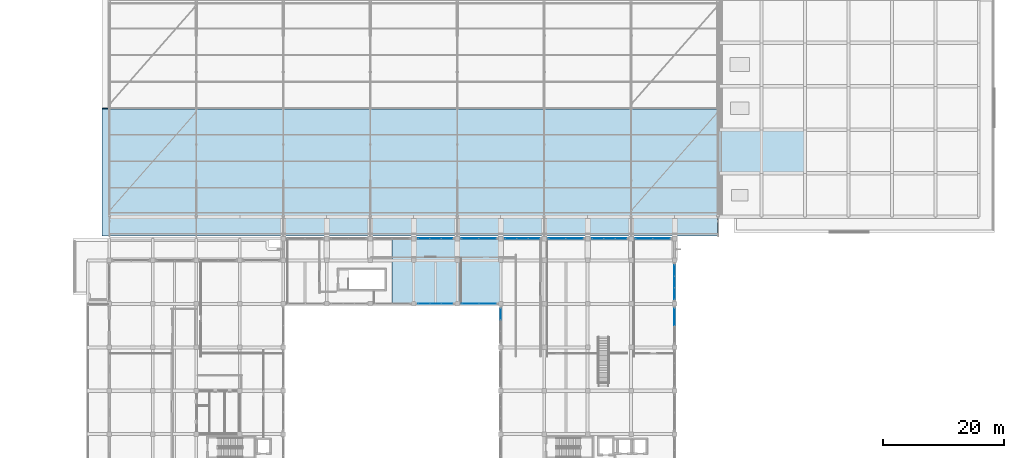
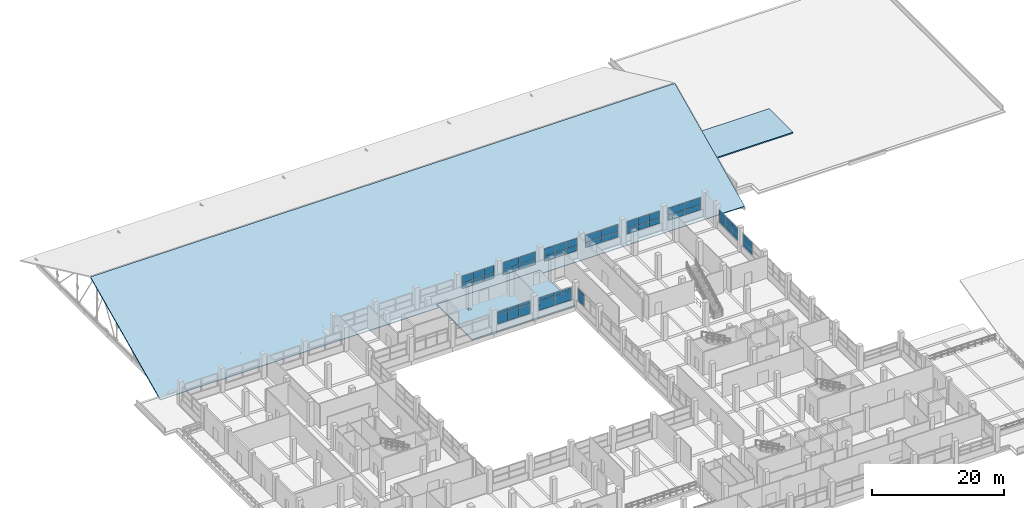
# One storey, part 117 of 141: 50 plates, 3 slabs, 11 elements without a shape of their own.
"""IFC4 building model written with IfcOpenShell, lengths in metres."""

from ifc_helpers import new_model, si_unit, direction, frame, origin, origin_2d, place, context, subcontext, project, spatial, polyline, rectangle, outline, extrude, material, layer, layer_set, type_object, element, aggregate, save


model = new_model("IFC4")

# Units and contexts
model_context = context("Model", 3, precision=1e-05, world=origin(), true_north=direction((0.0, 1.0)))
body_context = subcontext(model_context, "Body", "Model", "MODEL_VIEW")
ifc_project = project(units=[si_unit("LENGTHUNIT", "METRE"), si_unit("AREAUNIT", "SQUARE_METRE"), si_unit("VOLUMEUNIT", "CUBIC_METRE"), si_unit("PLANEANGLEUNIT", "RADIAN"), si_unit("MASSUNIT", "GRAM", prefix="KILO")], contexts=[model_context])

# Site, building, storey
site_placement = place(None, origin())
site = spatial("IfcSite", under=ifc_project, at=site_placement, CompositionType="ELEMENT")
building_placement = place(site_placement, origin())
building = spatial("IfcBuilding", under=site, at=building_placement, Name="Seraya Terrace Polytechnic", CompositionType="ELEMENT")
storey_placement = place(building_placement, frame((0.0, 0.0, 14.39990234375)))
storey = spatial("IfcBuildingStorey", under=building, at=storey_placement, Name="L03", CompositionType="ELEMENT", Elevation=14.39990234375)

# Curtain wall, plates
ifc_material_1 = material(Name="Anodised aluminium EN AW-6063 T6", Category="aluminium")
ifc_layer_1 = layer(ifc_material_1, 0.179931640625, Name="CW-13")
ifc_layer_set_1 = layer_set([ifc_layer_1], Name="Anodised aluminium EN AW-6063 T6")
curtain_wall_type_1 = type_object("IfcCurtainWallType", Name="CW-13", PredefinedType="NOTDEFINED", material=ifc_layer_set_1)
curtain_wall_1_placement = place(storey_placement, origin())
curtain_wall_1 = element("IfcCurtainWall", 1, at=curtain_wall_1_placement, inside=storey, type_object=curtain_wall_type_1, Name="Unitised curtain wall CW-13 (CW-L03-121)", PredefinedType="NOTDEFINED")
ifc_material_2 = material(Name="Laminated solar-control Low-E double glazing", Category="glass")
ifc_layer_2 = layer(ifc_material_2, 0.028076171875, Name="CWP-01")
ifc_layer_set_2 = layer_set([ifc_layer_2], Name="Laminated solar-control Low-E double glazing")
plate_type_1 = type_object("IfcPlateType", Name="CWP-01", PredefinedType="CURTAIN_PANEL", material=ifc_layer_set_2)
plate_1_placement = place(storey_placement, frame((66.496337890625, 75.60009765625, 1.30029296875), z_axis=(0.0, 0.0, 1.0), x_axis=(1.0, 0.0, 0.0)))
plate_1 = element("IfcPlate", 2, at=plate_1_placement, type_object=plate_type_1, Name="CW-13 panel 1.1", PredefinedType="CURTAIN_PANEL", context=body_context, shape_type="SweptSolid", body=[
    extrude(rectangle(XDim=1.822509765625, YDim=0.028076171875, at=origin_2d()), origin(), (0.0, 0.0, 1.0), 0.934814453125),
])
plate_2_placement = place(storey_placement, frame((66.496337890625, 75.60009765625, 2.294921875), z_axis=(0.0, 0.0, 1.0), x_axis=(1.0, 0.0, 0.0)))
plate_2 = element("IfcPlate", 3, at=plate_2_placement, type_object=plate_type_1, Name="CW-13 panel 1.2", PredefinedType="CURTAIN_PANEL", context=body_context, shape_type="SweptSolid", body=[
    extrude(rectangle(XDim=1.822509765625, YDim=0.028076171875, at=origin_2d()), origin(), (0.0, 0.0, 1.0), 1.3251953125),
])
plate_3_placement = place(storey_placement, frame((68.39990234375, 75.60009765625, 1.30029296875), z_axis=(0.0, 0.0, 1.0), x_axis=(1.0, 0.0, 0.0)))
plate_3 = element("IfcPlate", 4, at=plate_3_placement, type_object=plate_type_1, Name="CW-13 panel 2.1", PredefinedType="CURTAIN_PANEL", context=body_context, shape_type="SweptSolid", body=[
    extrude(rectangle(XDim=1.85498046875, YDim=0.028076171875, at=origin_2d()), origin(), (0.0, 0.0, 1.0), 0.934814453125),
])
plate_4_placement = place(storey_placement, frame((68.39990234375, 75.60009765625, 2.294921875), z_axis=(0.0, 0.0, 1.0), x_axis=(1.0, 0.0, 0.0)))
plate_4 = element("IfcPlate", 5, at=plate_4_placement, type_object=plate_type_1, Name="CW-13 panel 2.2", PredefinedType="CURTAIN_PANEL", context=body_context, shape_type="SweptSolid", body=[
    extrude(rectangle(XDim=1.85498046875, YDim=0.028076171875, at=origin_2d()), origin(), (0.0, 0.0, 1.0), 1.3251953125),
])
plate_5_placement = place(storey_placement, frame((70.3037109375, 75.60009765625, 1.30029296875), z_axis=(0.0, 0.0, 1.0), x_axis=(1.0, 0.0, 0.0)))
plate_5 = element("IfcPlate", 6, at=plate_5_placement, type_object=plate_type_1, Name="CW-13 panel 3.1", PredefinedType="CURTAIN_PANEL", context=body_context, shape_type="SweptSolid", body=[
    extrude(rectangle(XDim=1.822509765625, YDim=0.028076171875, at=origin_2d()), origin(), (0.0, 0.0, 1.0), 0.934814453125),
])
plate_6_placement = place(storey_placement, frame((70.3037109375, 75.60009765625, 2.294921875), z_axis=(0.0, 0.0, 1.0), x_axis=(1.0, 0.0, 0.0)))
plate_6 = element("IfcPlate", 7, at=plate_6_placement, type_object=plate_type_1, Name="CW-13 panel 3.2", PredefinedType="CURTAIN_PANEL", context=body_context, shape_type="SweptSolid", body=[
    extrude(rectangle(XDim=1.822509765625, YDim=0.028076171875, at=origin_2d()), origin(), (0.0, 0.0, 1.0), 1.3251953125),
])
aggregate(curtain_wall_1, [plate_1, plate_2, plate_3, plate_4, plate_5, plate_6])

ifc_layer_3 = layer(ifc_material_1, 0.179931640625, Name="CW-16")
ifc_layer_set_3 = layer_set([ifc_layer_3], Name="Anodised aluminium EN AW-6063 T6")
curtain_wall_type_2 = type_object("IfcCurtainWallType", Name="CW-16", PredefinedType="NOTDEFINED", material=ifc_layer_set_3)
curtain_wall_2_placement = place(storey_placement, origin())
curtain_wall_2 = element("IfcCurtainWall", 8, at=curtain_wall_2_placement, inside=storey, type_object=curtain_wall_type_2, Name="Unitised curtain wall CW-16 (CW-L03-124)", PredefinedType="NOTDEFINED")
plate_7_placement = place(storey_placement, frame((88.576171875, 75.60009765625, 1.30029296875), z_axis=(0.0, 0.0, 1.0), x_axis=(1.0, 0.0, 0.0)))
plate_7 = element("IfcPlate", 9, at=plate_7_placement, type_object=plate_type_1, Name="CW-16 panel 1.1", PredefinedType="CURTAIN_PANEL", context=body_context, shape_type="SweptSolid", body=[
    extrude(rectangle(XDim=2.782470703125, YDim=0.028076171875, at=origin_2d()), origin(), (0.0, 0.0, 1.0), 0.934814453125),
])
plate_8_placement = place(storey_placement, frame((88.576171875, 75.60009765625, 2.294921875), z_axis=(0.0, 0.0, 1.0), x_axis=(1.0, 0.0, 0.0)))
plate_8 = element("IfcPlate", 10, at=plate_8_placement, type_object=plate_type_1, Name="CW-16 panel 1.2", PredefinedType="CURTAIN_PANEL", context=body_context, shape_type="SweptSolid", body=[
    extrude(rectangle(XDim=2.782470703125, YDim=0.028076171875, at=origin_2d()), origin(), (0.0, 0.0, 1.0), 1.3251953125),
])
plate_9_placement = place(storey_placement, frame((91.423828125, 75.60009765625, 1.30029296875), z_axis=(0.0, 0.0, 1.0), x_axis=(1.0, 0.0, 0.0)))
plate_9 = element("IfcPlate", 11, at=plate_9_placement, type_object=plate_type_1, Name="CW-16 panel 2.1", PredefinedType="CURTAIN_PANEL", context=body_context, shape_type="SweptSolid", body=[
    extrude(rectangle(XDim=2.782470703125, YDim=0.028076171875, at=origin_2d()), origin(), (0.0, 0.0, 1.0), 0.934814453125),
])
plate_10_placement = place(storey_placement, frame((91.423828125, 75.60009765625, 2.294921875), z_axis=(0.0, 0.0, 1.0), x_axis=(1.0, 0.0, 0.0)))
plate_10 = element("IfcPlate", 12, at=plate_10_placement, type_object=plate_type_1, Name="CW-16 panel 2.2", PredefinedType="CURTAIN_PANEL", context=body_context, shape_type="SweptSolid", body=[
    extrude(rectangle(XDim=2.782470703125, YDim=0.028076171875, at=origin_2d()), origin(), (0.0, 0.0, 1.0), 1.3251953125),
])
aggregate(curtain_wall_2, [plate_7, plate_8, plate_9, plate_10])

ifc_layer_4 = layer(ifc_material_1, 0.179931640625, Name="CW-19")
ifc_layer_set_4 = layer_set([ifc_layer_4], Name="Anodised aluminium EN AW-6063 T6")
curtain_wall_type_3 = type_object("IfcCurtainWallType", Name="CW-19", PredefinedType="NOTDEFINED", material=ifc_layer_set_4)
curtain_wall_3_placement = place(storey_placement, origin())
curtain_wall_3 = element("IfcCurtainWall", 13, at=curtain_wall_3_placement, inside=storey, type_object=curtain_wall_type_3, Name="Unitised curtain wall CW-19 (CW-L03-127)", PredefinedType="NOTDEFINED")
plate_11_placement = place(storey_placement, frame((108.0, 70.3037109375, 1.2998046875), z_axis=(0.0, 0.0, 1.0), x_axis=(0.0, -1.0, 0.0)))
plate_11 = element("IfcPlate", 14, at=plate_11_placement, type_object=plate_type_1, Name="CW-19 panel 1.1", PredefinedType="CURTAIN_PANEL", context=body_context, shape_type="SweptSolid", body=[
    extrude(rectangle(XDim=1.822509765625, YDim=0.028076171875, at=origin_2d()), origin(), (0.0, 0.0, 1.0), 0.947509765625),
])
plate_12_placement = place(storey_placement, frame((108.0, 70.3037109375, 2.3076171875), z_axis=(0.0, 0.0, 1.0), x_axis=(0.0, -1.0, 0.0)))
plate_12 = element("IfcPlate", 15, at=plate_12_placement, type_object=plate_type_1, Name="CW-19 panel 1.2", PredefinedType="CURTAIN_PANEL", context=body_context, shape_type="SweptSolid", body=[
    extrude(rectangle(XDim=1.822509765625, YDim=0.028076171875, at=origin_2d()), origin(), (0.0, 0.0, 1.0), 1.342529296875),
])
plate_13_placement = place(storey_placement, frame((108.0, 68.39990234375, 1.2998046875), z_axis=(0.0, 0.0, 1.0), x_axis=(0.0, -1.0, 0.0)))
plate_13 = element("IfcPlate", 16, at=plate_13_placement, type_object=plate_type_1, Name="CW-19 panel 2.1", PredefinedType="CURTAIN_PANEL", context=body_context, shape_type="SweptSolid", body=[
    extrude(rectangle(XDim=1.85498046875, YDim=0.028076171875, at=origin_2d()), origin(), (0.0, 0.0, 1.0), 0.947509765625),
])
plate_14_placement = place(storey_placement, frame((108.0, 68.39990234375, 2.3076171875), z_axis=(0.0, 0.0, 1.0), x_axis=(0.0, -1.0, 0.0)))
plate_14 = element("IfcPlate", 17, at=plate_14_placement, type_object=plate_type_1, Name="CW-19 panel 2.2", PredefinedType="CURTAIN_PANEL", context=body_context, shape_type="SweptSolid", body=[
    extrude(rectangle(XDim=1.85498046875, YDim=0.028076171875, at=origin_2d()), origin(), (0.0, 0.0, 1.0), 1.342529296875),
])
plate_15_placement = place(storey_placement, frame((108.0, 66.496337890625, 1.2998046875), z_axis=(0.0, 0.0, 1.0), x_axis=(0.0, -1.0, 0.0)))
plate_15 = element("IfcPlate", 18, at=plate_15_placement, type_object=plate_type_1, Name="CW-19 panel 3.1", PredefinedType="CURTAIN_PANEL", context=body_context, shape_type="SweptSolid", body=[
    extrude(rectangle(XDim=1.822509765625, YDim=0.028076171875, at=origin_2d()), origin(), (0.0, 0.0, 1.0), 0.947509765625),
])
plate_16_placement = place(storey_placement, frame((108.0, 66.496337890625, 2.3076171875), z_axis=(0.0, 0.0, 1.0), x_axis=(0.0, -1.0, 0.0)))
plate_16 = element("IfcPlate", 19, at=plate_16_placement, type_object=plate_type_1, Name="CW-19 panel 3.2", PredefinedType="CURTAIN_PANEL", context=body_context, shape_type="SweptSolid", body=[
    extrude(rectangle(XDim=1.822509765625, YDim=0.028076171875, at=origin_2d()), origin(), (0.0, 0.0, 1.0), 1.342529296875),
])
aggregate(curtain_wall_3, [plate_11, plate_12, plate_13, plate_14, plate_15, plate_16])

ifc_layer_5 = layer(ifc_material_1, 0.179931640625, Name="CW-34")
ifc_layer_set_5 = layer_set([ifc_layer_5], Name="Anodised aluminium EN AW-6063 T6")
curtain_wall_type_4 = type_object("IfcCurtainWallType", Name="CW-34", PredefinedType="NOTDEFINED", material=ifc_layer_set_5)
curtain_wall_4_placement = place(storey_placement, origin())
curtain_wall_4 = element("IfcCurtainWall", 20, at=curtain_wall_4_placement, inside=storey, type_object=curtain_wall_type_4, Name="Unitised curtain wall CW-34 (CW-L03-142)", PredefinedType="NOTDEFINED")
plate_17_placement = place(storey_placement, frame((70.3037109375, 64.800048828125, 1.300048828125), z_axis=(0.0, 0.0, 1.0), x_axis=(-1.0, 0.0, 0.0)))
plate_17 = element("IfcPlate", 21, at=plate_17_placement, type_object=plate_type_1, Name="CW-34 panel 1.1", PredefinedType="CURTAIN_PANEL", context=body_context, shape_type="SweptSolid", body=[
    extrude(rectangle(XDim=1.822509765625, YDim=0.028076171875, at=origin_2d()), origin(), (0.0, 0.0, 1.0), 1.72998046875),
])
plate_18_placement = place(storey_placement, frame((70.3037109375, 64.800048828125, 3.08984375), z_axis=(0.0, 0.0, 1.0), x_axis=(-1.0, 0.0, 0.0)))
plate_18 = element("IfcPlate", 22, at=plate_18_placement, type_object=plate_type_1, Name="CW-34 panel 1.2", PredefinedType="CURTAIN_PANEL", context=body_context, shape_type="SweptSolid", body=[
    extrude(rectangle(XDim=1.822509765625, YDim=0.028076171875, at=origin_2d()), origin(), (0.0, 0.0, 1.0), 0.530029296875),
])
plate_19_placement = place(storey_placement, frame((68.39990234375, 64.800048828125, 1.300048828125), z_axis=(0.0, 0.0, 1.0), x_axis=(-1.0, 0.0, 0.0)))
plate_19 = element("IfcPlate", 23, at=plate_19_placement, type_object=plate_type_1, Name="CW-34 panel 2.1", PredefinedType="CURTAIN_PANEL", context=body_context, shape_type="SweptSolid", body=[
    extrude(rectangle(XDim=1.85498046875, YDim=0.028076171875, at=origin_2d()), origin(), (0.0, 0.0, 1.0), 1.72998046875),
])
plate_20_placement = place(storey_placement, frame((68.39990234375, 64.800048828125, 3.08984375), z_axis=(0.0, 0.0, 1.0), x_axis=(-1.0, 0.0, 0.0)))
plate_20 = element("IfcPlate", 24, at=plate_20_placement, type_object=plate_type_1, Name="CW-34 panel 2.2", PredefinedType="CURTAIN_PANEL", context=body_context, shape_type="SweptSolid", body=[
    extrude(rectangle(XDim=1.85498046875, YDim=0.028076171875, at=origin_2d()), origin(), (0.0, 0.0, 1.0), 0.530029296875),
])
plate_21_placement = place(storey_placement, frame((66.496337890625, 64.800048828125, 1.300048828125), z_axis=(0.0, 0.0, 1.0), x_axis=(-1.0, 0.0, 0.0)))
plate_21 = element("IfcPlate", 25, at=plate_21_placement, type_object=plate_type_1, Name="CW-34 panel 3.1", PredefinedType="CURTAIN_PANEL", context=body_context, shape_type="SweptSolid", body=[
    extrude(rectangle(XDim=1.822509765625, YDim=0.028076171875, at=origin_2d()), origin(), (0.0, 0.0, 1.0), 1.72998046875),
])
plate_22_placement = place(storey_placement, frame((66.496337890625, 64.800048828125, 3.08984375), z_axis=(0.0, 0.0, 1.0), x_axis=(-1.0, 0.0, 0.0)))
plate_22 = element("IfcPlate", 26, at=plate_22_placement, type_object=plate_type_1, Name="CW-34 panel 3.2", PredefinedType="CURTAIN_PANEL", context=body_context, shape_type="SweptSolid", body=[
    extrude(rectangle(XDim=1.822509765625, YDim=0.028076171875, at=origin_2d()), origin(), (0.0, 0.0, 1.0), 0.530029296875),
])
aggregate(curtain_wall_4, [plate_17, plate_18, plate_19, plate_20, plate_21, plate_22])

ifc_layer_6 = layer(ifc_material_1, 0.179931640625, Name="CW-14")
ifc_layer_set_6 = layer_set([ifc_layer_6], Name="Anodised aluminium EN AW-6063 T6")
curtain_wall_type_5 = type_object("IfcCurtainWallType", Name="CW-14", PredefinedType="NOTDEFINED", material=ifc_layer_set_6)
curtain_wall_5_placement = place(storey_placement, origin())
curtain_wall_5 = element("IfcCurtainWall", 27, at=curtain_wall_5_placement, inside=storey, type_object=curtain_wall_type_5, Name="Unitised curtain wall CW-14 (CW-L03-122)", PredefinedType="NOTDEFINED")
ifc_layer_7 = layer(ifc_material_2, 0.031982421875, Name="CWP-02")
ifc_layer_set_7 = layer_set([ifc_layer_7], Name="Laminated solar-control Low-E double glazing")
plate_type_2 = type_object("IfcPlateType", Name="CWP-02", PredefinedType="CURTAIN_PANEL", material=ifc_layer_set_7)
plate_23_placement = place(storey_placement, frame((74.175048828125, 75.60009765625, 1.30029296875), z_axis=(0.0, 0.0, 1.0), x_axis=(1.0, 0.0, 0.0)))
plate_23 = element("IfcPlate", 28, at=plate_23_placement, type_object=plate_type_2, Name="CW-14 panel 1.1", PredefinedType="CURTAIN_PANEL", context=body_context, shape_type="SweptSolid", body=[
    extrude(rectangle(XDim=2.7900390625, YDim=0.031982421875, at=origin_2d()), origin(), (0.0, 0.0, 1.0), 0.934814453125),
])
plate_24_placement = place(storey_placement, frame((74.175048828125, 75.60009765625, 2.294921875), z_axis=(0.0, 0.0, 1.0), x_axis=(1.0, 0.0, 0.0)))
plate_24 = element("IfcPlate", 29, at=plate_24_placement, type_object=plate_type_2, Name="CW-14 panel 1.2", PredefinedType="CURTAIN_PANEL", context=body_context, shape_type="SweptSolid", body=[
    extrude(rectangle(XDim=2.7900390625, YDim=0.031982421875, at=origin_2d()), origin(), (0.0, 0.0, 1.0), 1.3251953125),
])
plate_25_placement = place(storey_placement, frame((77.02490234375, 75.60009765625, 1.30029296875), z_axis=(0.0, 0.0, 1.0), x_axis=(1.0, 0.0, 0.0)))
plate_25 = element("IfcPlate", 30, at=plate_25_placement, type_object=plate_type_2, Name="CW-14 panel 2.1", PredefinedType="CURTAIN_PANEL", context=body_context, shape_type="SweptSolid", body=[
    extrude(rectangle(XDim=2.7900390625, YDim=0.031982421875, at=origin_2d()), origin(), (0.0, 0.0, 1.0), 0.934814453125),
])
plate_26_placement = place(storey_placement, frame((77.02490234375, 75.60009765625, 2.294921875), z_axis=(0.0, 0.0, 1.0), x_axis=(1.0, 0.0, 0.0)))
plate_26 = element("IfcPlate", 31, at=plate_26_placement, type_object=plate_type_2, Name="CW-14 panel 2.2", PredefinedType="CURTAIN_PANEL", context=body_context, shape_type="SweptSolid", body=[
    extrude(rectangle(XDim=2.7900390625, YDim=0.031982421875, at=origin_2d()), origin(), (0.0, 0.0, 1.0), 1.3251953125),
])
aggregate(curtain_wall_5, [plate_23, plate_24, plate_25, plate_26])

ifc_layer_8 = layer(ifc_material_1, 0.179931640625, Name="CW-17")
ifc_layer_set_8 = layer_set([ifc_layer_8], Name="Anodised aluminium EN AW-6063 T6")
curtain_wall_type_6 = type_object("IfcCurtainWallType", Name="CW-17", PredefinedType="NOTDEFINED", material=ifc_layer_set_8)
curtain_wall_6_placement = place(storey_placement, origin())
curtain_wall_6 = element("IfcCurtainWall", 32, at=curtain_wall_6_placement, inside=storey, type_object=curtain_wall_type_6, Name="Unitised curtain wall CW-17 (CW-L03-125)", PredefinedType="NOTDEFINED")
plate_27_placement = place(storey_placement, frame((95.294921875, 75.60009765625, 1.2998046875), z_axis=(0.0, 0.0, 1.0), x_axis=(1.0, 0.0, 0.0)))
plate_27 = element("IfcPlate", 33, at=plate_27_placement, type_object=plate_type_2, Name="CW-17 panel 1.1", PredefinedType="CURTAIN_PANEL", context=body_context, shape_type="SweptSolid", body=[
    extrude(rectangle(XDim=1.830078125, YDim=0.031982421875, at=origin_2d()), origin(), (0.0, 0.0, 1.0), 0.926513671875),
])
plate_28_placement = place(storey_placement, frame((95.294921875, 75.60009765625, 2.28662109375), z_axis=(0.0, 0.0, 1.0), x_axis=(1.0, 0.0, 0.0)))
plate_28 = element("IfcPlate", 34, at=plate_28_placement, type_object=plate_type_2, Name="CW-17 panel 1.2", PredefinedType="CURTAIN_PANEL", context=body_context, shape_type="SweptSolid", body=[
    extrude(rectangle(XDim=1.830078125, YDim=0.031982421875, at=origin_2d()), origin(), (0.0, 0.0, 1.0), 1.313720703125),
])
plate_29_placement = place(storey_placement, frame((97.199951171875, 75.60009765625, 1.2998046875), z_axis=(0.0, 0.0, 1.0), x_axis=(1.0, 0.0, 0.0)))
plate_29 = element("IfcPlate", 35, at=plate_29_placement, type_object=plate_type_2, Name="CW-17 panel 2.1", PredefinedType="CURTAIN_PANEL", context=body_context, shape_type="SweptSolid", body=[
    extrude(rectangle(XDim=1.860107421875, YDim=0.031982421875, at=origin_2d()), origin(), (0.0, 0.0, 1.0), 0.926513671875),
])
plate_30_placement = place(storey_placement, frame((97.199951171875, 75.60009765625, 2.28662109375), z_axis=(0.0, 0.0, 1.0), x_axis=(1.0, 0.0, 0.0)))
plate_30 = element("IfcPlate", 36, at=plate_30_placement, type_object=plate_type_2, Name="CW-17 panel 2.2", PredefinedType="CURTAIN_PANEL", context=body_context, shape_type="SweptSolid", body=[
    extrude(rectangle(XDim=1.860107421875, YDim=0.031982421875, at=origin_2d()), origin(), (0.0, 0.0, 1.0), 1.313720703125),
])
plate_31_placement = place(storey_placement, frame((99.10498046875, 75.60009765625, 1.2998046875), z_axis=(0.0, 0.0, 1.0), x_axis=(1.0, 0.0, 0.0)))
plate_31 = element("IfcPlate", 37, at=plate_31_placement, type_object=plate_type_2, Name="CW-17 panel 3.1", PredefinedType="CURTAIN_PANEL", context=body_context, shape_type="SweptSolid", body=[
    extrude(rectangle(XDim=1.830078125, YDim=0.031982421875, at=origin_2d()), origin(), (0.0, 0.0, 1.0), 0.926513671875),
])
plate_32_placement = place(storey_placement, frame((99.10498046875, 75.60009765625, 2.28662109375), z_axis=(0.0, 0.0, 1.0), x_axis=(1.0, 0.0, 0.0)))
plate_32 = element("IfcPlate", 38, at=plate_32_placement, type_object=plate_type_2, Name="CW-17 panel 3.2", PredefinedType="CURTAIN_PANEL", context=body_context, shape_type="SweptSolid", body=[
    extrude(rectangle(XDim=1.830078125, YDim=0.031982421875, at=origin_2d()), origin(), (0.0, 0.0, 1.0), 1.313720703125),
])
aggregate(curtain_wall_6, [plate_27, plate_28, plate_29, plate_30, plate_31, plate_32])

ifc_layer_9 = layer(ifc_material_1, 0.179931640625, Name="CW-20")
ifc_layer_set_9 = layer_set([ifc_layer_9], Name="Anodised aluminium EN AW-6063 T6")
curtain_wall_type_7 = type_object("IfcCurtainWallType", Name="CW-20", PredefinedType="NOTDEFINED", material=ifc_layer_set_9)
curtain_wall_7_placement = place(storey_placement, origin())
curtain_wall_7 = element("IfcCurtainWall", 39, at=curtain_wall_7_placement, inside=storey, type_object=curtain_wall_type_7, Name="Unitised curtain wall CW-20 (CW-L03-128)", PredefinedType="NOTDEFINED")
plate_33_placement = place(storey_placement, frame((108.0, 62.625, 1.2998046875), z_axis=(0.0, 0.0, 1.0), x_axis=(0.0, -1.0, 0.0)))
plate_33 = element("IfcPlate", 40, at=plate_33_placement, type_object=plate_type_2, Name="CW-20 panel 1.1", PredefinedType="CURTAIN_PANEL", context=body_context, shape_type="SweptSolid", body=[
    extrude(rectangle(XDim=2.7900390625, YDim=0.031982421875, at=origin_2d()), origin(), (0.0, 0.0, 1.0), 0.947509765625),
])
plate_34_placement = place(storey_placement, frame((108.0, 62.625, 2.3076171875), z_axis=(0.0, 0.0, 1.0), x_axis=(0.0, -1.0, 0.0)))
plate_34 = element("IfcPlate", 41, at=plate_34_placement, type_object=plate_type_2, Name="CW-20 panel 1.2", PredefinedType="CURTAIN_PANEL", context=body_context, shape_type="SweptSolid", body=[
    extrude(rectangle(XDim=2.7900390625, YDim=0.031982421875, at=origin_2d()), origin(), (0.0, 0.0, 1.0), 1.342529296875),
])
aggregate(curtain_wall_7, [plate_33, plate_34])

ifc_layer_10 = layer(ifc_material_1, 0.179931640625, Name="CW-32")
ifc_layer_set_10 = layer_set([ifc_layer_10], Name="Anodised aluminium EN AW-6063 T6")
curtain_wall_type_8 = type_object("IfcCurtainWallType", Name="CW-32", PredefinedType="NOTDEFINED", material=ifc_layer_set_10)
curtain_wall_8_placement = place(storey_placement, origin())
curtain_wall_8 = element("IfcCurtainWall", 42, at=curtain_wall_8_placement, inside=storey, type_object=curtain_wall_type_8, Name="Unitised curtain wall CW-32 (CW-L03-140)", PredefinedType="NOTDEFINED")
plate_35_placement = place(storey_placement, frame((79.199951171875, 63.10498046875, 1.30029296875), z_axis=(0.0, 0.0, 1.0), x_axis=(0.0, 1.0, 0.0)))
plate_35 = element("IfcPlate", 43, at=plate_35_placement, type_object=plate_type_2, Name="CW-32 panel 3.1", PredefinedType="CURTAIN_PANEL", context=body_context, shape_type="SweptSolid", body=[
    extrude(rectangle(XDim=1.830078125, YDim=0.031982421875, at=origin_2d()), origin(), (0.0, 0.0, 1.0), 1.760009765625),
])
plate_36_placement = place(storey_placement, frame((79.199951171875, 63.10498046875, 3.1201171875), z_axis=(0.0, 0.0, 1.0), x_axis=(0.0, 1.0, 0.0)))
plate_36 = element("IfcPlate", 44, at=plate_36_placement, type_object=plate_type_2, Name="CW-32 panel 3.2", PredefinedType="CURTAIN_PANEL", context=body_context, shape_type="SweptSolid", body=[
    extrude(rectangle(XDim=1.830078125, YDim=0.031982421875, at=origin_2d()), origin(), (0.0, 0.0, 1.0), 0.530029296875),
])
aggregate(curtain_wall_8, [plate_35, plate_36])

ifc_layer_11 = layer(ifc_material_1, 0.179931640625, Name="CW-15")
ifc_layer_set_11 = layer_set([ifc_layer_11], Name="Anodised aluminium EN AW-6063 T6")
curtain_wall_type_9 = type_object("IfcCurtainWallType", Name="CW-15", PredefinedType="NOTDEFINED", material=ifc_layer_set_11)
curtain_wall_9_placement = place(storey_placement, origin())
curtain_wall_9 = element("IfcCurtainWall", 45, at=curtain_wall_9_placement, inside=storey, type_object=curtain_wall_type_9, Name="Unitised curtain wall CW-15 (CW-L03-123)", PredefinedType="NOTDEFINED")
ifc_layer_12 = layer(ifc_material_2, 0.035888671875, Name="CWP-03")
ifc_layer_set_12 = layer_set([ifc_layer_12], Name="Laminated solar-control Low-E double glazing")
plate_type_3 = type_object("IfcPlateType", Name="CWP-03", PredefinedType="CURTAIN_PANEL", material=ifc_layer_set_12)
plate_37_placement = place(storey_placement, frame((80.89501953125, 75.60009765625, 1.295166015625), z_axis=(0.0, 0.0, 1.0), x_axis=(1.0, 0.0, 0.0)))
plate_37 = element("IfcPlate", 46, at=plate_37_placement, type_object=plate_type_3, Name="CW-15 panel 1.1", PredefinedType="CURTAIN_PANEL", context=body_context, shape_type="SweptSolid", body=[
    extrude(rectangle(XDim=1.830078125, YDim=0.035888671875, at=origin_2d()), origin(), (0.0, 0.0, 1.0), 0.9423828125),
])
plate_38_placement = place(storey_placement, frame((80.89501953125, 75.60009765625, 2.29248046875), z_axis=(0.0, 0.0, 1.0), x_axis=(1.0, 0.0, 0.0)))
plate_38 = element("IfcPlate", 47, at=plate_38_placement, type_object=plate_type_3, Name="CW-15 panel 1.2", PredefinedType="CURTAIN_PANEL", context=body_context, shape_type="SweptSolid", body=[
    extrude(rectangle(XDim=1.830078125, YDim=0.035888671875, at=origin_2d()), origin(), (0.0, 0.0, 1.0), 1.332763671875),
])
plate_39_placement = place(storey_placement, frame((82.800048828125, 75.60009765625, 1.295166015625), z_axis=(0.0, 0.0, 1.0), x_axis=(1.0, 0.0, 0.0)))
plate_39 = element("IfcPlate", 48, at=plate_39_placement, type_object=plate_type_3, Name="CW-15 panel 2.1", PredefinedType="CURTAIN_PANEL", context=body_context, shape_type="SweptSolid", body=[
    extrude(rectangle(XDim=1.860107421875, YDim=0.035888671875, at=origin_2d()), origin(), (0.0, 0.0, 1.0), 0.9423828125),
])
plate_40_placement = place(storey_placement, frame((82.800048828125, 75.60009765625, 2.29248046875), z_axis=(0.0, 0.0, 1.0), x_axis=(1.0, 0.0, 0.0)))
plate_40 = element("IfcPlate", 49, at=plate_40_placement, type_object=plate_type_3, Name="CW-15 panel 2.2", PredefinedType="CURTAIN_PANEL", context=body_context, shape_type="SweptSolid", body=[
    extrude(rectangle(XDim=1.860107421875, YDim=0.035888671875, at=origin_2d()), origin(), (0.0, 0.0, 1.0), 1.332763671875),
])
plate_41_placement = place(storey_placement, frame((84.705078125, 75.60009765625, 1.295166015625), z_axis=(0.0, 0.0, 1.0), x_axis=(1.0, 0.0, 0.0)))
plate_41 = element("IfcPlate", 50, at=plate_41_placement, type_object=plate_type_3, Name="CW-15 panel 3.1", PredefinedType="CURTAIN_PANEL", context=body_context, shape_type="SweptSolid", body=[
    extrude(rectangle(XDim=1.830078125, YDim=0.035888671875, at=origin_2d()), origin(), (0.0, 0.0, 1.0), 0.9423828125),
])
plate_42_placement = place(storey_placement, frame((84.705078125, 75.60009765625, 2.29248046875), z_axis=(0.0, 0.0, 1.0), x_axis=(1.0, 0.0, 0.0)))
plate_42 = element("IfcPlate", 51, at=plate_42_placement, type_object=plate_type_3, Name="CW-15 panel 3.2", PredefinedType="CURTAIN_PANEL", context=body_context, shape_type="SweptSolid", body=[
    extrude(rectangle(XDim=1.830078125, YDim=0.035888671875, at=origin_2d()), origin(), (0.0, 0.0, 1.0), 1.332763671875),
])
aggregate(curtain_wall_9, [plate_37, plate_38, plate_39, plate_40, plate_41, plate_42])

ifc_layer_13 = layer(ifc_material_1, 0.179931640625, Name="CW-18")
ifc_layer_set_13 = layer_set([ifc_layer_13], Name="Anodised aluminium EN AW-6063 T6")
curtain_wall_type_10 = type_object("IfcCurtainWallType", Name="CW-18", PredefinedType="NOTDEFINED", material=ifc_layer_set_13)
curtain_wall_10_placement = place(storey_placement, origin())
curtain_wall_10 = element("IfcCurtainWall", 52, at=curtain_wall_10_placement, inside=storey, type_object=curtain_wall_type_10, Name="Unitised curtain wall CW-18 (CW-L03-126)", PredefinedType="NOTDEFINED")
plate_43_placement = place(storey_placement, frame((102.97509765625, 75.60009765625, 1.295166015625), z_axis=(0.0, 0.0, 1.0), x_axis=(1.0, 0.0, 0.0)))
plate_43 = element("IfcPlate", 53, at=plate_43_placement, type_object=plate_type_3, Name="CW-18 panel 1.1", PredefinedType="CURTAIN_PANEL", context=body_context, shape_type="SweptSolid", body=[
    extrude(rectangle(XDim=2.7900390625, YDim=0.035888671875, at=origin_2d()), origin(), (0.0, 0.0, 1.0), 0.9169921875),
])
plate_44_placement = place(storey_placement, frame((102.97509765625, 75.60009765625, 2.267333984375), z_axis=(0.0, 0.0, 1.0), x_axis=(1.0, 0.0, 0.0)))
plate_44 = element("IfcPlate", 54, at=plate_44_placement, type_object=plate_type_3, Name="CW-18 panel 1.2", PredefinedType="CURTAIN_PANEL", context=body_context, shape_type="SweptSolid", body=[
    extrude(rectangle(XDim=2.7900390625, YDim=0.035888671875, at=origin_2d()), origin(), (0.0, 0.0, 1.0), 1.2978515625),
])
plate_45_placement = place(storey_placement, frame((105.824951171875, 75.60009765625, 1.295166015625), z_axis=(0.0, 0.0, 1.0), x_axis=(1.0, 0.0, 0.0)))
plate_45 = element("IfcPlate", 55, at=plate_45_placement, type_object=plate_type_3, Name="CW-18 panel 2.1", PredefinedType="CURTAIN_PANEL", context=body_context, shape_type="SweptSolid", body=[
    extrude(rectangle(XDim=2.7900390625, YDim=0.035888671875, at=origin_2d()), origin(), (0.0, 0.0, 1.0), 0.9169921875),
])
plate_46_placement = place(storey_placement, frame((105.824951171875, 75.60009765625, 2.267333984375), z_axis=(0.0, 0.0, 1.0), x_axis=(1.0, 0.0, 0.0)))
plate_46 = element("IfcPlate", 56, at=plate_46_placement, type_object=plate_type_3, Name="CW-18 panel 2.2", PredefinedType="CURTAIN_PANEL", context=body_context, shape_type="SweptSolid", body=[
    extrude(rectangle(XDim=2.7900390625, YDim=0.035888671875, at=origin_2d()), origin(), (0.0, 0.0, 1.0), 1.2978515625),
])
aggregate(curtain_wall_10, [plate_43, plate_44, plate_45, plate_46])

ifc_layer_14 = layer(ifc_material_1, 0.179931640625, Name="CW-33")
ifc_layer_set_14 = layer_set([ifc_layer_14], Name="Anodised aluminium EN AW-6063 T6")
curtain_wall_type_11 = type_object("IfcCurtainWallType", Name="CW-33", PredefinedType="NOTDEFINED", material=ifc_layer_set_14)
curtain_wall_11_placement = place(storey_placement, origin())
curtain_wall_11 = element("IfcCurtainWall", 57, at=curtain_wall_11_placement, inside=storey, type_object=curtain_wall_type_11, Name="Unitised curtain wall CW-33 (CW-L03-141)", PredefinedType="NOTDEFINED")
plate_47_placement = place(storey_placement, frame((77.02490234375, 64.800048828125, 1.294921875), z_axis=(0.0, 0.0, 1.0), x_axis=(-1.0, 0.0, 0.0)))
plate_47 = element("IfcPlate", 58, at=plate_47_placement, type_object=plate_type_3, Name="CW-33 panel 1.1", PredefinedType="CURTAIN_PANEL", context=body_context, shape_type="SweptSolid", body=[
    extrude(rectangle(XDim=2.7900390625, YDim=0.035888671875, at=origin_2d()), origin(), (0.0, 0.0, 1.0), 1.737548828125),
])
plate_48_placement = place(storey_placement, frame((77.02490234375, 64.800048828125, 3.087646484375), z_axis=(0.0, 0.0, 1.0), x_axis=(-1.0, 0.0, 0.0)))
plate_48 = element("IfcPlate", 59, at=plate_48_placement, type_object=plate_type_3, Name="CW-33 panel 1.2", PredefinedType="CURTAIN_PANEL", context=body_context, shape_type="SweptSolid", body=[
    extrude(rectangle(XDim=2.7900390625, YDim=0.035888671875, at=origin_2d()), origin(), (0.0, 0.0, 1.0), 0.53759765625),
])
plate_49_placement = place(storey_placement, frame((74.175048828125, 64.800048828125, 1.294921875), z_axis=(0.0, 0.0, 1.0), x_axis=(-1.0, 0.0, 0.0)))
plate_49 = element("IfcPlate", 60, at=plate_49_placement, type_object=plate_type_3, Name="CW-33 panel 2.1", PredefinedType="CURTAIN_PANEL", context=body_context, shape_type="SweptSolid", body=[
    extrude(rectangle(XDim=2.7900390625, YDim=0.035888671875, at=origin_2d()), origin(), (0.0, 0.0, 1.0), 1.737548828125),
])
plate_50_placement = place(storey_placement, frame((74.175048828125, 64.800048828125, 3.087646484375), z_axis=(0.0, 0.0, 1.0), x_axis=(-1.0, 0.0, 0.0)))
plate_50 = element("IfcPlate", 61, at=plate_50_placement, type_object=plate_type_3, Name="CW-33 panel 2.2", PredefinedType="CURTAIN_PANEL", context=body_context, shape_type="SweptSolid", body=[
    extrude(rectangle(XDim=2.7900390625, YDim=0.035888671875, at=origin_2d()), origin(), (0.0, 0.0, 1.0), 0.53759765625),
])
aggregate(curtain_wall_11, [plate_47, plate_48, plate_49, plate_50])

# Slabs
ifc_material_3 = material(Name="Concrete C40/50", Category="concrete")
ifc_layer_15 = layer(ifc_material_3, 0.260009765625, Name="FS-08")
ifc_layer_set_15 = layer_set([ifc_layer_15], Name="Concrete C40/50")
slab_type_1 = type_object("IfcSlabType", Name="FS-08", PredefinedType="FLOOR", material=ifc_layer_set_15)
slab_1_placement = place(storey_placement, frame((0.0, 0.0, -0.260009765625)))
element("IfcSlab", 62, at=slab_1_placement, inside=storey, type_object=slab_type_1, Name="Floor slab SLB-V2-NWRIM-L03-S2 (FS-08)", PredefinedType="FLOOR", context=body_context, shape_type="SweptSolid", body=[
    extrude(outline(polyline([(79.139892578125, 75.5400390625), (79.139892578125, 64.860107421875), (61.205078125, 64.860107421875), (61.205078125, 75.5400390625), (79.139892578125, 75.5400390625)]), holes=[polyline([(64.550048828125, 72.25), (64.550048828125, 71.75), (65.050048828125, 71.75), (65.050048828125, 72.25), (64.550048828125, 72.25)])]), origin(), (0.0, 0.0, 1.0), 0.260009765625),
])
ifc_layer_16 = layer(ifc_material_3, 0.199951171875, Name="RS-02")
ifc_layer_set_16 = layer_set([ifc_layer_16], Name="Concrete C40/50")
slab_type_2 = type_object("IfcSlabType", Name="RS-02", PredefinedType="ROOF", material=ifc_layer_set_16)
slab_2_placement = place(storey_placement, frame((13.199951171875, 76.0, -1.0732421875), z_axis=(0.0, -0.422884317329, 0.906183675729), x_axis=(1.0, 0.0, 0.0)))
element("IfcSlab", 63, at=slab_2_placement, inside=storey, type_object=slab_type_2, Name="Engineering Workshop Hall South pitched roof deck", PredefinedType="ROOF", context=body_context, shape_type="SweptSolid", body=[
    extrude(outline(polyline([(0.0, 0.0), (101.949951171875, 0.0), (101.949951171875, 23.284570469981013), (0.0, 23.284570469981013), (0.0, 0.0)])), origin(), (0.0, 0.0, -1.0), 0.199951171875),
])
ifc_layer_17 = layer(ifc_material_3, 0.2099609375, Name="RS-05")
ifc_layer_set_17 = layer_set([ifc_layer_17], Name="Concrete C40/50")
slab_type_3 = type_object("IfcSlabType", Name="RS-05", PredefinedType="ROOF", material=ifc_layer_set_17)
slab_3_placement = place(storey_placement, frame((0.0, 0.0, 0.989990234375)))
element("IfcSlab", 64, at=slab_3_placement, inside=storey, type_object=slab_type_3, Name="Core Core D overrun roof slab", PredefinedType="ROOF", context=body_context, shape_type="SweptSolid", body=[
    extrude(outline(polyline([(115.199951171875, 86.39990234375), (129.60009765625, 86.39990234375), (129.60009765625, 93.60009765625), (115.199951171875, 93.60009765625), (115.199951171875, 86.39990234375)])), origin(), (0.0, 0.0, 1.0), 0.210205078125),
])

save(model, "model.ifc")
